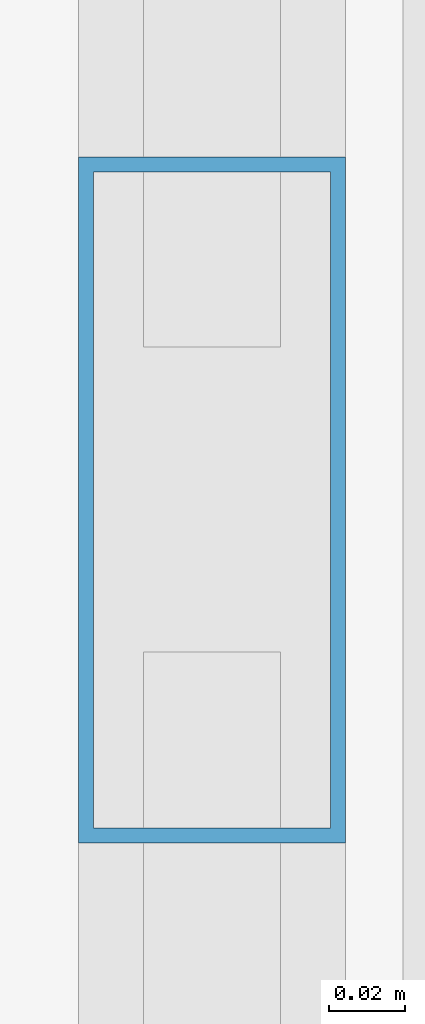
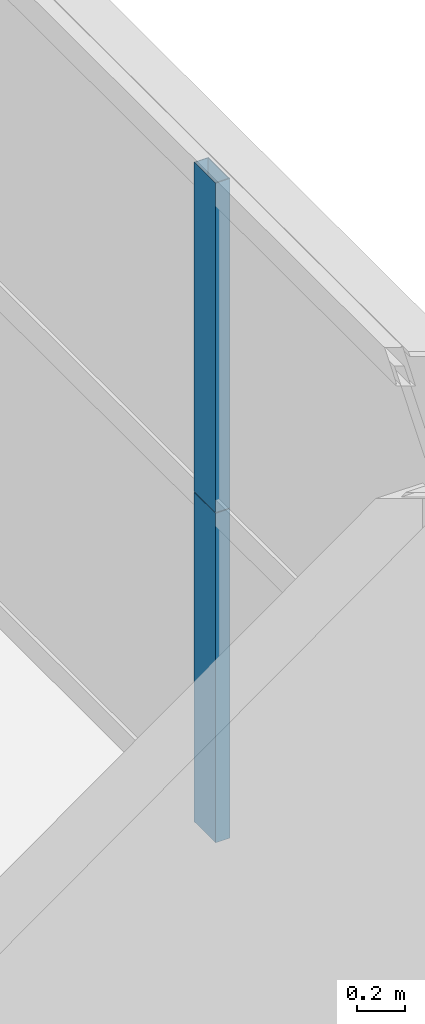
# One storey, part 28 of 37: 2 members, 1 element without a shape of its own.
"""IFC4 building model written with IfcOpenShell, lengths in metres."""

from ifc_helpers import new_model, si_unit, direction, frame, origin, origin_2d, place, context, subcontext, project, spatial, hollow_rectangle, extrude, source, transform, mapped, material, layer, layer_set, material_profile, profile_set, type_object, element, aggregate, save


model = new_model("IFC4")

# Units and contexts
model_context = context("Model", 3, precision=1e-05, world=origin(), true_north=direction((0.0, 1.0)))
body_context = subcontext(model_context, "Body", "Model", "MODEL_VIEW")
ifc_project = project(units=[si_unit("LENGTHUNIT", "METRE"), si_unit("AREAUNIT", "SQUARE_METRE"), si_unit("VOLUMEUNIT", "CUBIC_METRE"), si_unit("PLANEANGLEUNIT", "RADIAN"), si_unit("MASSUNIT", "GRAM", prefix="KILO"), si_unit("THERMODYNAMICTEMPERATUREUNIT", "KELVIN"), si_unit("POWERUNIT", "WATT")], contexts=[model_context])

# Site, building, storey
site_placement = place(None, origin())
site = spatial("IfcSite", under=ifc_project, at=site_placement, CompositionType="ELEMENT")
building_placement = place(site_placement, origin())
building = spatial("IfcBuilding", under=site, at=building_placement, Name="Yuzanri Waterfront Tower", CompositionType="ELEMENT")
storey_placement = place(building_placement, frame((0.0, 0.0, 104.60009765625)))
storey = spatial("IfcBuildingStorey", under=building, at=storey_placement, Name="L27", CompositionType="ELEMENT", Elevation=104.60009765625)

# Curtain wall, members
ifc_material_1 = material(Name="Anodized Architectural Bronze", Category="metal")
ifc_layer = layer(ifc_material_1, 0.159912109375)
ifc_layer_set = layer_set([ifc_layer], Name="Anodized Architectural Bronze")
curtain_wall_type = type_object("IfcCurtainWallType", Name="Anodized Bronze Hotel Upper-Tier Solar-Control Unitized Curtain Wall 7800", PredefinedType="NOTDEFINED", material=ifc_layer_set)
curtain_wall_placement = place(storey_placement, origin())
curtain_wall = element("IfcCurtainWall", 1, at=curtain_wall_placement, inside=storey, type_object=curtain_wall_type, Name="L27 Curtain Wall CW-L27-ER", PredefinedType="NOTDEFINED")
ifc_material_2 = material(Name="Anodized Architectural Bronze", Category="metal")
ifc_material_profile = material_profile(ifc_material_2, hollow_rectangle(XDim=0.070068359375, YDim=0.179931640625, WallThickness=0.00390625, at=origin_2d()), Name="CWM 70x180")
ifc_profile_set = profile_set([ifc_material_profile], Name="Anodized Architectural Bronze")
member_type = type_object("IfcMemberType", Name="Anodized Bronze Standard Curtain-Wall Mullion 70x180", PredefinedType="MULLION", material=ifc_profile_set)
shared_shape = source(origin(), body_context, "Body", "SweptSolid", [
    extrude(hollow_rectangle(XDim=0.070068359375, YDim=0.179931640625, WallThickness=0.00390625, at=origin_2d()), origin(), (0.0, 0.0, 1.0), 1.68798828125),
])
member_1_placement = place(storey_placement, frame((60.449951171875, 34.14990234375, 0.0), z_axis=(0.0, 0.0, 1.0), x_axis=(1.0, 0.0, 0.0)))
member_1 = element("IfcMember", 2, at=member_1_placement, type_object=member_type, Name="CW-L27-ER Lower Mullion 01", PredefinedType="MULLION", context=body_context, shape_type="MappedRepresentation", body=[
    mapped(shared_shape, transform((0.0, 0.0, 0.0), scale=1.0)),
])
member_2_placement = place(storey_placement, frame((60.449951171875, 34.14990234375, 1.69189453125), z_axis=(0.0, 0.0, 1.0), x_axis=(1.0, 0.0, 0.0)))
member_2 = element("IfcMember", 3, at=member_2_placement, type_object=member_type, Name="CW-L27-ER Upper Mullion 01", PredefinedType="MULLION", context=body_context, shape_type="MappedRepresentation", body=[
    mapped(shared_shape, transform((0.0, 0.0, 0.0), scale=1.0)),
])
aggregate(curtain_wall, [member_1, member_2])

save(model, "model.ifc")
